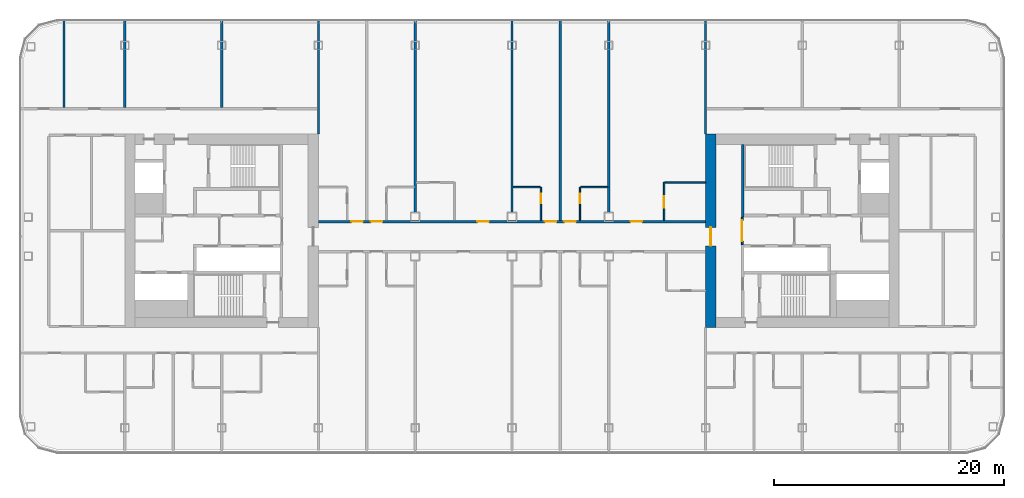
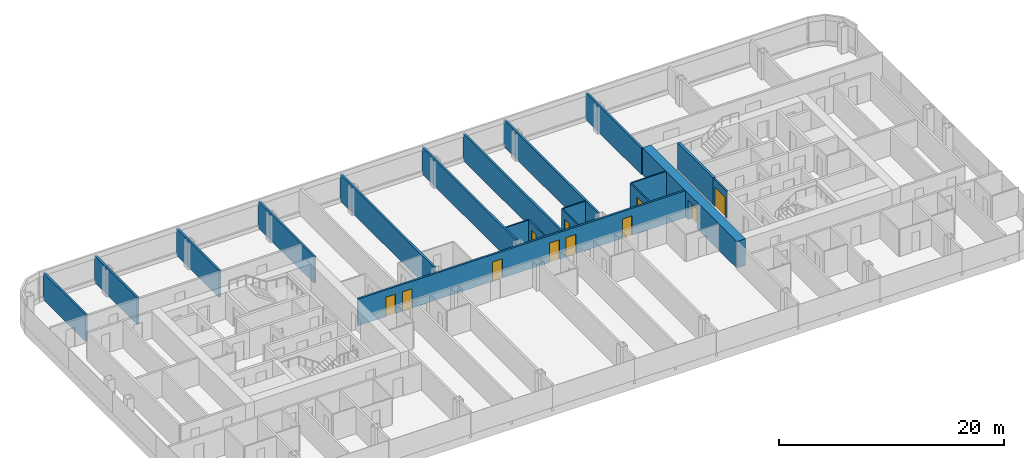
# One storey, part 15 of 26: 19 walls, 11 doors, 11 openings.
"""IFC4 building model written with IfcOpenShell, lengths in metres."""

from ifc_helpers import new_model, si_unit, direction, frame, frame_2d, origin, place, context, subcontext, project, spatial, rectangle, extrude, material, layer, layer_set, type_object, element, fill, save


model = new_model("IFC4")

# Units and contexts
model_context = context("Model", 3, precision=1e-05, world=origin(), true_north=direction((0.0, 1.0)))
body_context = subcontext(model_context, "Body", "Model", "MODEL_VIEW")
ifc_project = project(units=[si_unit("LENGTHUNIT", "METRE"), si_unit("AREAUNIT", "SQUARE_METRE"), si_unit("VOLUMEUNIT", "CUBIC_METRE"), si_unit("PLANEANGLEUNIT", "RADIAN"), si_unit("MASSUNIT", "GRAM", prefix="KILO")], contexts=[model_context])

# Site, building, storey
site_placement = place(None, origin())
site = spatial("IfcSite", under=ifc_project, at=site_placement, CompositionType="ELEMENT")
building_placement = place(site_placement, origin())
building = spatial("IfcBuilding", under=site, at=building_placement, Name="Hakoniwa Tower and Hamabe Station Hall", CompositionType="ELEMENT")
storey_placement = place(building_placement, frame((0.0, 0.0, 172.60009765625)))
storey = spatial("IfcBuildingStorey", under=building, at=storey_placement, Name="L49", CompositionType="ELEMENT", Elevation=172.60009765625)

# Walls
ifc_material_1 = material(Name="Gypsum board partition", Category="gypsum")
ifc_layer_1 = layer(ifc_material_1, 0.125)
ifc_layer_set_1 = layer_set([ifc_layer_1], Name="Bathroom Partition 125")
wall_type_1 = type_object("IfcWallType", Name="Bathroom Partition 125", PredefinedType="PARTITIONING", material=ifc_layer_set_1)
wall_1_placement = place(storey_placement, frame((0.10009765625, 3.800048828125, 0.0), z_axis=(0.0, 0.0, 1.0), x_axis=(1.0, 0.0, 0.0)))
element("IfcWall", 1, at=wall_1_placement, inside=storey, type_object=wall_type_1, Name="GW-L49-025", PredefinedType="PARTITIONING", context=body_context, shape_type="SweptSolid", body=[
    extrude(rectangle(XDim=2.33740234375, YDim=0.125, at=frame_2d((1.168701171875, 0.0))), origin(), (0.0, 0.0, 1.0), 2.89990234375),
])
wall_2_placement = place(storey_placement, frame((5.96240234375, 3.800048828125, 0.0), z_axis=(0.0, 0.0, 1.0), x_axis=(1.0, 0.0, 0.0)))
element("IfcWall", 2, at=wall_2_placement, inside=storey, type_object=wall_type_1, Name="GW-L49-026", PredefinedType="PARTITIONING", context=body_context, shape_type="SweptSolid", body=[
    extrude(rectangle(XDim=2.337646484375, YDim=0.125, at=frame_2d((1.1689453125, 0.0))), origin(), (0.0, 0.0, 1.0), 2.89990234375),
])
wall_3_placement = place(storey_placement, frame((13.262451171875, 4.199951171875, 0.0), z_axis=(0.0, 0.0, 1.0), x_axis=(1.0, 0.0, 0.0)))
element("IfcWall", 3, at=wall_3_placement, inside=storey, type_object=wall_type_1, Name="GW-L49-028", PredefinedType="PARTITIONING", context=body_context, shape_type="SweptSolid", body=[
    extrude(rectangle(XDim=3.547607421875, YDim=0.125, at=frame_2d((1.77392578125, 0.0))), origin(), (0.0, 0.0, 1.0), 2.89990234375),
])

# Wall, opening, door
wall_4_placement = place(storey_placement, frame((2.5, 0.89990234375, 0.0), z_axis=(0.0, 0.0, 1.0), x_axis=(0.0, 1.0, 0.0)))
wall_4 = element("IfcWall", 4, at=wall_4_placement, inside=storey, type_object=wall_type_1, Name="GW-L49-060", PredefinedType="PARTITIONING", context=body_context, shape_type="SweptSolid", body=[
    extrude(rectangle(XDim=2.900146484375, YDim=0.125, at=frame_2d((1.4501953125, 0.0))), origin(), (0.0, 0.0, 1.0), 2.89990234375),
])
opening_1_placement = place(wall_4_placement, frame((1.5, 0.0, 0.0)))
opening_1 = element("IfcOpeningElement", 5, at=opening_1_placement, cuts=wall_4, Name="Opening GD-G3D2-49", PredefinedType="OPENING", context=body_context, shape_type="SweptSolid", body=[
    extrude(rectangle(XDim=0.800048828125, YDim=2.10009765625, at=frame_2d((0.39990234375, 1.050048828125))), frame((0.0, 0.072509765625, 0.0), z_axis=(0.0, -1.0, 0.0), x_axis=(1.0, 0.0, 0.0)), (0.0, 0.0, 1.0), 0.14501953125),
])
ifc_material_2 = material(Name="Timber door leaf", Category="wood")
door_type_1 = type_object("IfcDoorType", Name="Bathroom Door 800", OperationType="SINGLE_SWING_LEFT", PredefinedType="DOOR", material=ifc_material_2)
door_1_placement = place(opening_1_placement, origin())
door_1 = element("IfcDoor", 6, at=door_1_placement, inside=storey, type_object=door_type_1, Name="Door GD-G3D2-49", OperationType="SINGLE_SWING_LEFT", OverallHeight=2.10009765625, OverallWidth=0.800048828125, PredefinedType="DOOR", context=body_context, shape_type="SweptSolid", body=[
    extrude(rectangle(XDim=0.800048828125, YDim=2.10009765625, at=frame_2d((0.39990234375, 1.050048828125))), frame((0.0, 0.02490234375, 0.0), z_axis=(0.0, -1.0, 0.0), x_axis=(1.0, 0.0, 0.0)), (0.0, 0.0, 1.0), 0.050048828125),
])
fill(opening_1, door_1)

wall_5_placement = place(storey_placement, frame((5.89990234375, 0.89990234375, 0.0), z_axis=(0.0, 0.0, 1.0), x_axis=(0.0, 1.0, 0.0)))
wall_5 = element("IfcWall", 7, at=wall_5_placement, inside=storey, type_object=wall_type_1, Name="GW-L49-064", PredefinedType="PARTITIONING", context=body_context, shape_type="SweptSolid", body=[
    extrude(rectangle(XDim=2.900146484375, YDim=0.125, at=frame_2d((1.4501953125, 0.0))), origin(), (0.0, 0.0, 1.0), 2.89990234375),
])
opening_2_placement = place(wall_5_placement, frame((1.5, 0.0, 0.0)))
opening_2 = element("IfcOpeningElement", 8, at=opening_2_placement, cuts=wall_5, Name="Opening GD-G3D2-51", PredefinedType="OPENING", context=body_context, shape_type="SweptSolid", body=[
    extrude(rectangle(XDim=0.800048828125, YDim=2.10009765625, at=frame_2d((0.39990234375, 1.050048828125))), frame((0.0, 0.072509765625, 0.0), z_axis=(0.0, -1.0, 0.0), x_axis=(1.0, 0.0, 0.0)), (0.0, 0.0, 1.0), 0.14501953125),
])
door_2_placement = place(opening_2_placement, origin())
door_2 = element("IfcDoor", 9, at=door_2_placement, inside=storey, type_object=door_type_1, Name="Door GD-G3D2-51", OperationType="SINGLE_SWING_RIGHT", OverallHeight=2.10009765625, OverallWidth=0.800048828125, PredefinedType="DOOR", context=body_context, shape_type="SweptSolid", body=[
    extrude(rectangle(XDim=0.800048828125, YDim=2.10009765625, at=frame_2d((0.39990234375, 1.050048828125))), frame((0.0, 0.02490234375, 0.0), z_axis=(0.0, -1.0, 0.0), x_axis=(1.0, 0.0, 0.0)), (0.0, 0.0, 1.0), 0.050048828125),
])
fill(opening_2, door_2)

wall_6_placement = place(storey_placement, frame((13.199951171875, 0.89990234375, 0.0), z_axis=(0.0, 0.0, 1.0), x_axis=(0.0, 1.0, 0.0)))
wall_6 = element("IfcWall", 10, at=wall_6_placement, inside=storey, type_object=wall_type_1, Name="GW-L49-067", PredefinedType="PARTITIONING", context=body_context, shape_type="SweptSolid", body=[
    extrude(rectangle(XDim=3.300048828125, YDim=0.125, at=frame_2d((1.64990234375, 0.0))), origin(), (0.0, 0.0, 1.0), 2.89990234375),
])
opening_3_placement = place(wall_6_placement, frame((1.10009765625, 0.0, 0.0)))
opening_3 = element("IfcOpeningElement", 11, at=opening_3_placement, cuts=wall_6, Name="Opening GD-G3D2-52", PredefinedType="OPENING", context=body_context, shape_type="SweptSolid", body=[
    extrude(rectangle(XDim=1.0, YDim=2.10009765625, at=frame_2d((0.5, 1.050048828125))), frame((0.0, 0.072509765625, 0.0), z_axis=(0.0, -1.0, 0.0), x_axis=(1.0, 0.0, 0.0)), (0.0, 0.0, 1.0), 0.14501953125),
])
ifc_material_3 = material(Name="Timber door leaf", Category="wood")
door_type_2 = type_object("IfcDoorType", Name="Accessible Bathroom Door 1000", OperationType="SINGLE_SWING_LEFT", PredefinedType="DOOR", material=ifc_material_3)
door_3_placement = place(opening_3_placement, origin())
door_3 = element("IfcDoor", 12, at=door_3_placement, inside=storey, type_object=door_type_2, Name="Door GD-G3D2-52", OperationType="SINGLE_SWING_LEFT", OverallHeight=2.10009765625, OverallWidth=1.0, PredefinedType="DOOR", context=body_context, shape_type="SweptSolid", body=[
    extrude(rectangle(XDim=1.0, YDim=2.10009765625, at=frame_2d((0.5, 1.050048828125))), frame((0.0, 0.02490234375, 0.0), z_axis=(0.0, -1.0, 0.0), x_axis=(1.0, 0.0, 0.0)), (0.0, 0.0, 1.0), 0.050048828125),
])
fill(opening_3, door_3)

ifc_material_4 = material(Name="Gypsum board partition")
ifc_layer_2 = layer(ifc_material_4, 0.14990234375)
ifc_layer_set_2 = layer_set([ifc_layer_2], Name="CORE PARTITION 150 EI 60")
wall_type_2 = type_object("IfcWallType", Name="CORE PARTITION 150 EI 60", PredefinedType="PARTITIONING", material=ifc_layer_set_2)
wall_7_placement = place(storey_placement, frame((19.97509765625, -1.199951171875, 0.0), z_axis=(0.0, 0.0, 1.0), x_axis=(0.0, 1.0, 0.0)))
wall_7 = element("IfcWall", 13, at=wall_7_placement, inside=storey, type_object=wall_type_2, Name="Core partition PL0 east", PredefinedType="PARTITIONING", context=body_context, shape_type="SweptSolid", body=[
    extrude(rectangle(XDim=2.39990234375, YDim=0.14990234375, at=frame_2d((1.199951171875, 0.0))), origin(), (0.0, 0.0, 1.0), 2.89990234375),
])
opening_4_placement = place(wall_7_placement, frame((0.300048828125, 0.0, 0.0)))
opening_4 = element("IfcOpeningElement", 14, at=opening_4_placement, cuts=wall_7, Name="Opening CD-E-LP0-18", PredefinedType="OPENING", context=body_context, shape_type="SweptSolid", body=[
    extrude(rectangle(XDim=1.800048828125, YDim=2.10009765625, at=frame_2d((0.89990234375, 1.050048828125))), frame((0.0, 0.0849609375, 0.0), z_axis=(0.0, -1.0, 0.0), x_axis=(1.0, 0.0, 0.0)), (0.0, 0.0, 1.0), 0.169921875),
])
ifc_material_5 = material(Name="Steel fire door", Category="steel")
door_type_3 = type_object("IfcDoorType", Name="CORE DOOR 1800 FD60", OperationType="DOUBLE_DOOR_SINGLE_SWING", PredefinedType="DOOR", material=ifc_material_5)
door_4_placement = place(opening_4_placement, origin())
door_4 = element("IfcDoor", 15, at=door_4_placement, inside=storey, type_object=door_type_3, Name="Lift lobby partition door", OperationType="DOUBLE_DOOR_SINGLE_SWING", OverallHeight=2.10009765625, OverallWidth=1.800048828125, PredefinedType="DOOR", context=body_context, shape_type="SweptSolid", body=[
    extrude(rectangle(XDim=1.800048828125, YDim=2.10009765625, at=frame_2d((0.89990234375, 1.050048828125))), frame((0.0, 0.02490234375, 0.0), z_axis=(0.0, -1.0, 0.0), x_axis=(1.0, 0.0, 0.0)), (0.0, 0.0, 1.0), 0.050048828125),
])
fill(opening_4, door_4)

ifc_material_6 = material(Name="Concrete C66", Category="concrete")
ifc_layer_3 = layer(ifc_material_6, 0.89990234375)
ifc_layer_set_3 = layer_set([ifc_layer_3], Name="CORE WALL 900 C66")
wall_type_3 = type_object("IfcWallType", Name="CORE WALL 900 C66", PredefinedType="SHEAR", material=ifc_layer_set_3)
wall_8_placement = place(storey_placement, frame((17.25, -8.39990234375, 0.0), z_axis=(0.0, 0.0, 1.0), x_axis=(0.0, 1.0, 0.0)))
wall_8 = element("IfcWall", 16, at=wall_8_placement, inside=storey, type_object=wall_type_3, Name="Core wall INNER east", PredefinedType="SHEAR", context=body_context, shape_type="SweptSolid", body=[
    extrude(rectangle(XDim=16.7998046875, YDim=0.89990234375, at=frame_2d((8.39990234375, 0.0))), origin(), (0.0, 0.0, 1.0), 2.89990234375),
])
opening_5_placement = place(wall_8_placement, frame((7.10009765625, 0.0, 0.0)))
opening_5 = element("IfcOpeningElement", 17, at=opening_5_placement, cuts=wall_8, Name="Opening CD-E-IN1-16", PredefinedType="OPENING", context=body_context, shape_type="SweptSolid", body=[
    extrude(rectangle(XDim=1.60009765625, YDim=2.10009765625, at=frame_2d((0.800048828125, 1.050048828125))), frame((0.0, 0.4599609375, 0.0), z_axis=(0.0, -1.0, 0.0), x_axis=(1.0, 0.0, 0.0)), (0.0, 0.0, 1.0), 0.919921875),
])
ifc_material_7 = material(Name="Steel fire door", Category="steel")
door_type_4 = type_object("IfcDoorType", Name="CORE DOOR 1600 FD60", OperationType="DOUBLE_DOOR_SINGLE_SWING", PredefinedType="DOOR", material=ifc_material_7)
door_5_placement = place(opening_5_placement, origin())
door_5 = element("IfcDoor", 18, at=door_5_placement, inside=storey, type_object=door_type_4, Name="Lift lobby door", OperationType="DOUBLE_DOOR_SINGLE_SWING", OverallHeight=2.10009765625, OverallWidth=1.60009765625, PredefinedType="DOOR", context=body_context, shape_type="SweptSolid", body=[
    extrude(rectangle(XDim=1.60009765625, YDim=2.10009765625, at=frame_2d((0.800048828125, 1.050048828125))), frame((0.0, 0.02490234375, 0.0), z_axis=(0.0, -1.0, 0.0), x_axis=(1.0, 0.0, 0.0)), (0.0, 0.0, 1.0), 0.050048828125),
])
fill(opening_5, door_5)

# Wall
ifc_material_8 = material(Name="Concrete C66", Category="concrete")
ifc_layer_4 = layer(ifc_material_8, 0.25)
ifc_layer_set_4 = layer_set([ifc_layer_4], Name="CORE WEB WALL 250 C66")
wall_type_4 = type_object("IfcWallType", Name="CORE WEB WALL 250 C66", PredefinedType="SHEAR", material=ifc_layer_set_4)
wall_9_placement = place(storey_placement, frame((20.02490234375, 1.199951171875, 0.0), z_axis=(0.0, 0.0, 1.0), x_axis=(0.0, 1.0, 0.0)))
element("IfcWall", 19, at=wall_9_placement, inside=storey, type_object=wall_type_4, Name="Core wall W1N east", PredefinedType="SHEAR", context=body_context, shape_type="SweptSolid", body=[
    extrude(rectangle(XDim=6.300048828125, YDim=0.25, at=frame_2d((3.14990234375, 0.0))), origin(), (0.0, 0.0, 1.0), 2.89990234375),
])

# Wall, openings, doors
ifc_material_9 = material(Name="Fire-rated gypsum board partition", Category="gypsum")
ifc_layer_5 = layer(ifc_material_9, 0.199951171875)
ifc_layer_set_5 = layer_set([ifc_layer_5], Name="Corridor Wall 200")
wall_type_5 = type_object("IfcWallType", Name="Corridor Wall 200", PredefinedType="PARTITIONING", material=ifc_layer_set_5)
wall_10_placement = place(storey_placement, frame((-16.800048828125, 0.800048828125, 0.0), z_axis=(0.0, 0.0, 1.0), x_axis=(1.0, 0.0, 0.0)))
wall_10 = element("IfcWall", 20, at=wall_10_placement, inside=storey, type_object=wall_type_5, Name="GW-L49-022", PredefinedType="PARTITIONING", context=body_context, shape_type="SweptSolid", body=[
    extrude(rectangle(XDim=33.60009765625, YDim=0.199951171875, at=frame_2d((16.800048828125, 0.0))), origin(), (0.0, 0.0, 1.0), 2.89990234375),
])
opening_6_placement = place(wall_10_placement, frame((2.85009765625, 0.0, 0.0)))
opening_6 = element("IfcOpeningElement", 21, at=opening_6_placement, cuts=wall_10, Name="Opening GD-G3D2-24", PredefinedType="OPENING", context=body_context, shape_type="SweptSolid", body=[
    extrude(rectangle(XDim=1.0, YDim=2.10009765625, at=frame_2d((0.5, 1.050048828125))), frame((0.0, 0.10986328125, 0.0), z_axis=(0.0, -1.0, 0.0), x_axis=(1.0, 0.0, 0.0)), (0.0, 0.0, 1.0), 0.219970703125),
])
opening_7_placement = place(wall_10_placement, frame((4.550048828125, 0.0, 0.0)))
opening_7 = element("IfcOpeningElement", 22, at=opening_7_placement, cuts=wall_10, Name="Opening GD-G3D2-25", PredefinedType="OPENING", context=body_context, shape_type="SweptSolid", body=[
    extrude(rectangle(XDim=1.0, YDim=2.10009765625, at=frame_2d((0.5, 1.050048828125))), frame((0.0, 0.10986328125, 0.0), z_axis=(0.0, -1.0, 0.0), x_axis=(1.0, 0.0, 0.0)), (0.0, 0.0, 1.0), 0.219970703125),
])
opening_8_placement = place(wall_10_placement, frame((13.800048828125, 0.0, 0.0)))
opening_8 = element("IfcOpeningElement", 23, at=opening_8_placement, cuts=wall_10, Name="Opening GD-G3D2-26", PredefinedType="OPENING", context=body_context, shape_type="SweptSolid", body=[
    extrude(rectangle(XDim=1.0, YDim=2.10009765625, at=frame_2d((0.5, 1.050048828125))), frame((0.0, 0.10986328125, 0.0), z_axis=(0.0, -1.0, 0.0), x_axis=(1.0, 0.0, 0.0)), (0.0, 0.0, 1.0), 0.219970703125),
])
opening_9_placement = place(wall_10_placement, frame((19.64990234375, 0.0, 0.0)))
opening_9 = element("IfcOpeningElement", 24, at=opening_9_placement, cuts=wall_10, Name="Opening GD-G3D2-27", PredefinedType="OPENING", context=body_context, shape_type="SweptSolid", body=[
    extrude(rectangle(XDim=1.0, YDim=2.10009765625, at=frame_2d((0.5, 1.050048828125))), frame((0.0, 0.10986328125, 0.0), z_axis=(0.0, -1.0, 0.0), x_axis=(1.0, 0.0, 0.0)), (0.0, 0.0, 1.0), 0.219970703125),
])
opening_10_placement = place(wall_10_placement, frame((21.35009765625, 0.0, 0.0)))
opening_10 = element("IfcOpeningElement", 25, at=opening_10_placement, cuts=wall_10, Name="Opening GD-G3D2-28", PredefinedType="OPENING", context=body_context, shape_type="SweptSolid", body=[
    extrude(rectangle(XDim=1.0, YDim=2.10009765625, at=frame_2d((0.5, 1.050048828125))), frame((0.0, 0.10986328125, 0.0), z_axis=(0.0, -1.0, 0.0), x_axis=(1.0, 0.0, 0.0)), (0.0, 0.0, 1.0), 0.219970703125),
])
opening_11_placement = place(wall_10_placement, frame((27.10009765625, 0.0, 0.0)))
opening_11 = element("IfcOpeningElement", 26, at=opening_11_placement, cuts=wall_10, Name="Opening GD-G3D2-29", PredefinedType="OPENING", context=body_context, shape_type="SweptSolid", body=[
    extrude(rectangle(XDim=1.0, YDim=2.10009765625, at=frame_2d((0.5, 1.050048828125))), frame((0.0, 0.10986328125, 0.0), z_axis=(0.0, -1.0, 0.0), x_axis=(1.0, 0.0, 0.0)), (0.0, 0.0, 1.0), 0.219970703125),
])
ifc_material_10 = material(Name="Timber door leaf", Category="wood")
door_type_5 = type_object("IfcDoorType", Name="Accessible Guest Entrance Door 1000", OperationType="SINGLE_SWING_LEFT", PredefinedType="DOOR", material=ifc_material_10)
door_6_placement = place(opening_11_placement, origin())
door_6 = element("IfcDoor", 27, at=door_6_placement, inside=storey, type_object=door_type_5, Name="Door GD-G3D2-29", OperationType="SINGLE_SWING_RIGHT", OverallHeight=2.10009765625, OverallWidth=1.0, PredefinedType="DOOR", context=body_context, shape_type="SweptSolid", body=[
    extrude(rectangle(XDim=1.0, YDim=2.10009765625, at=frame_2d((0.5, 1.050048828125))), frame((0.0, 0.02490234375, 0.0), z_axis=(0.0, -1.0, 0.0), x_axis=(1.0, 0.0, 0.0)), (0.0, 0.0, 1.0), 0.050048828125),
])
fill(opening_11, door_6)
ifc_material_11 = material(Name="Timber door leaf", Category="wood")
door_type_6 = type_object("IfcDoorType", Name="Guest Entrance Door 1000", OperationType="SINGLE_SWING_LEFT", PredefinedType="DOOR", material=ifc_material_11)
door_7_placement = place(opening_6_placement, origin())
door_7 = element("IfcDoor", 28, at=door_7_placement, inside=storey, type_object=door_type_6, Name="Door GD-G3D2-24", OperationType="SINGLE_SWING_LEFT", OverallHeight=2.10009765625, OverallWidth=1.0, PredefinedType="DOOR", context=body_context, shape_type="SweptSolid", body=[
    extrude(rectangle(XDim=1.0, YDim=2.10009765625, at=frame_2d((0.5, 1.050048828125))), frame((0.0, 0.02490234375, 0.0), z_axis=(0.0, -1.0, 0.0), x_axis=(1.0, 0.0, 0.0)), (0.0, 0.0, 1.0), 0.050048828125),
])
fill(opening_6, door_7)
door_8_placement = place(opening_7_placement, origin())
door_8 = element("IfcDoor", 29, at=door_8_placement, inside=storey, type_object=door_type_6, Name="Door GD-G3D2-25", OperationType="SINGLE_SWING_RIGHT", OverallHeight=2.10009765625, OverallWidth=1.0, PredefinedType="DOOR", context=body_context, shape_type="SweptSolid", body=[
    extrude(rectangle(XDim=1.0, YDim=2.10009765625, at=frame_2d((0.5, 1.050048828125))), frame((0.0, 0.02490234375, 0.0), z_axis=(0.0, -1.0, 0.0), x_axis=(1.0, 0.0, 0.0)), (0.0, 0.0, 1.0), 0.050048828125),
])
fill(opening_7, door_8)
door_9_placement = place(opening_8_placement, origin())
door_9 = element("IfcDoor", 30, at=door_9_placement, inside=storey, type_object=door_type_6, Name="Door GD-G3D2-26", OperationType="SINGLE_SWING_LEFT", OverallHeight=2.10009765625, OverallWidth=1.0, PredefinedType="DOOR", context=body_context, shape_type="SweptSolid", body=[
    extrude(rectangle(XDim=1.0, YDim=2.10009765625, at=frame_2d((0.5, 1.050048828125))), frame((0.0, 0.02490234375, 0.0), z_axis=(0.0, -1.0, 0.0), x_axis=(1.0, 0.0, 0.0)), (0.0, 0.0, 1.0), 0.050048828125),
])
fill(opening_8, door_9)
door_10_placement = place(opening_9_placement, origin())
door_10 = element("IfcDoor", 31, at=door_10_placement, inside=storey, type_object=door_type_6, Name="Door GD-G3D2-27", OperationType="SINGLE_SWING_RIGHT", OverallHeight=2.10009765625, OverallWidth=1.0, PredefinedType="DOOR", context=body_context, shape_type="SweptSolid", body=[
    extrude(rectangle(XDim=1.0, YDim=2.10009765625, at=frame_2d((0.5, 1.050048828125))), frame((0.0, 0.02490234375, 0.0), z_axis=(0.0, -1.0, 0.0), x_axis=(1.0, 0.0, 0.0)), (0.0, 0.0, 1.0), 0.050048828125),
])
fill(opening_9, door_10)
door_11_placement = place(opening_10_placement, origin())
door_11 = element("IfcDoor", 32, at=door_11_placement, inside=storey, type_object=door_type_6, Name="Door GD-G3D2-28", OperationType="SINGLE_SWING_LEFT", OverallHeight=2.10009765625, OverallWidth=1.0, PredefinedType="DOOR", context=body_context, shape_type="SweptSolid", body=[
    extrude(rectangle(XDim=1.0, YDim=2.10009765625, at=frame_2d((0.5, 1.050048828125))), frame((0.0, 0.02490234375, 0.0), z_axis=(0.0, -1.0, 0.0), x_axis=(1.0, 0.0, 0.0)), (0.0, 0.0, 1.0), 0.050048828125),
])
fill(opening_10, door_11)

# Walls
ifc_material_12 = material(Name="Fire-rated gypsum board partition", Category="gypsum")
ifc_layer_6 = layer(ifc_material_12, 0.199951171875)
ifc_layer_set_6 = layer_set([ifc_layer_6], Name="Party Wall 200")
wall_type_6 = type_object("IfcWallType", Name="Party Wall 200", PredefinedType="PARTITIONING", material=ifc_layer_set_6)
for number, where, z_axis, x_axis, name in (
    (33, (-38.8798828125, 10.699951171875, 0.0), (0.0, 0.0, 1.0), (0.0, 1.0, 0.0), "GW-L49-034"),
    (34, (-33.60009765625, 10.699951171875, 0.0), (0.0, 0.0, 1.0), (0.0, 1.0, 0.0), "GW-L49-039"),
    (35, (-25.199951171875, 10.699951171875, 0.0), (0.0, 0.0, 1.0), (0.0, 1.0, 0.0), "GW-L49-044"),
):
    element("IfcWall", number, at=place(storey_placement, frame(where, z_axis=z_axis, x_axis=x_axis)), inside=storey, type_object=wall_type_6, Name=name, PredefinedType="PARTITIONING", context=body_context, shape_type="SweptSolid", body=[
        extrude(rectangle(XDim=7.60009765625, YDim=0.199951171875, at=frame_2d((3.800048828125, 0.0))), origin(), (0.0, 0.0, 1.0), 2.89990234375),
    ])
wall_11_placement = place(storey_placement, frame((-16.800048828125, 8.389892578125, 0.0), z_axis=(0.0, 0.0, 1.0), x_axis=(0.0, 1.0, 0.0)))
element("IfcWall", 36, at=wall_11_placement, inside=storey, type_object=wall_type_6, Name="GW-L49-047", PredefinedType="PARTITIONING", context=body_context, shape_type="SweptSolid", body=[
    extrude(rectangle(XDim=9.91015625, YDim=0.199951171875, at=frame_2d((4.955078125, 0.0))), origin(), (0.0, 0.0, 1.0), 2.89990234375),
])
for number, where, z_axis, x_axis, name in (
    (37, (-8.39990234375, 1.590087890625, 0.0), (0.0, 0.0, 1.0), (0.0, 1.0, 0.0), "GW-L49-055"),
    (38, (0.0, 1.590087890625, 0.0), (0.0, 0.0, 1.0), (0.0, 1.0, 0.0), "GW-L49-058"),
):
    element("IfcWall", number, at=place(storey_placement, frame(where, z_axis=z_axis, x_axis=x_axis)), inside=storey, type_object=wall_type_6, Name=name, PredefinedType="PARTITIONING", context=body_context, shape_type="SweptSolid", body=[
        extrude(rectangle(XDim=16.7099609375, YDim=0.199951171875, at=frame_2d((8.35498046875, 0.0))), origin(), (0.0, 0.0, 1.0), 2.89990234375),
    ])
wall_12_placement = place(storey_placement, frame((4.199951171875, 0.89990234375, 0.0), z_axis=(0.0, 0.0, 1.0), x_axis=(0.0, 1.0, 0.0)))
element("IfcWall", 39, at=wall_12_placement, inside=storey, type_object=wall_type_6, Name="GW-L49-062", PredefinedType="PARTITIONING", context=body_context, shape_type="SweptSolid", body=[
    extrude(rectangle(XDim=17.400146484375, YDim=0.199951171875, at=frame_2d((8.7001953125, 0.0))), origin(), (0.0, 0.0, 1.0), 2.89990234375),
])
wall_13_placement = place(storey_placement, frame((8.39990234375, 1.590087890625, 0.0), z_axis=(0.0, 0.0, 1.0), x_axis=(0.0, 1.0, 0.0)))
element("IfcWall", 40, at=wall_13_placement, inside=storey, type_object=wall_type_6, Name="GW-L49-066", PredefinedType="PARTITIONING", context=body_context, shape_type="SweptSolid", body=[
    extrude(rectangle(XDim=16.7099609375, YDim=0.199951171875, at=frame_2d((8.35498046875, 0.0))), origin(), (0.0, 0.0, 1.0), 2.89990234375),
])
wall_14_placement = place(storey_placement, frame((16.800048828125, 8.389892578125, 0.0), z_axis=(0.0, 0.0, 1.0), x_axis=(0.0, 1.0, 0.0)))
element("IfcWall", 41, at=wall_14_placement, inside=storey, type_object=wall_type_6, Name="GW-L49-070", PredefinedType="PARTITIONING", context=body_context, shape_type="SweptSolid", body=[
    extrude(rectangle(XDim=9.91015625, YDim=0.199951171875, at=frame_2d((4.955078125, 0.0))), origin(), (0.0, 0.0, 1.0), 2.89990234375),
])

save(model, "model.ifc")
